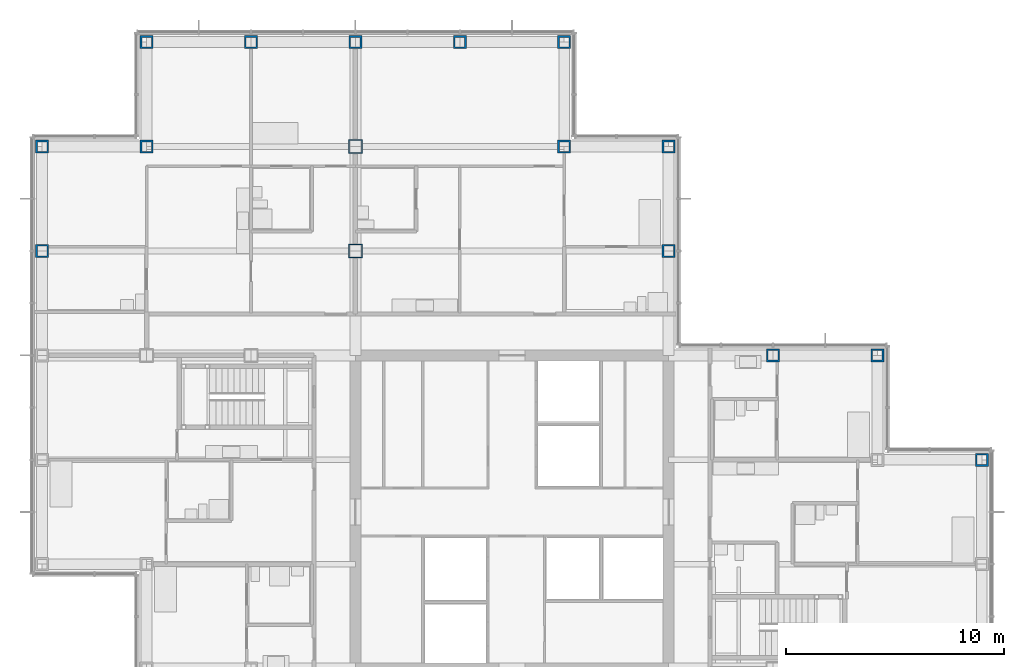
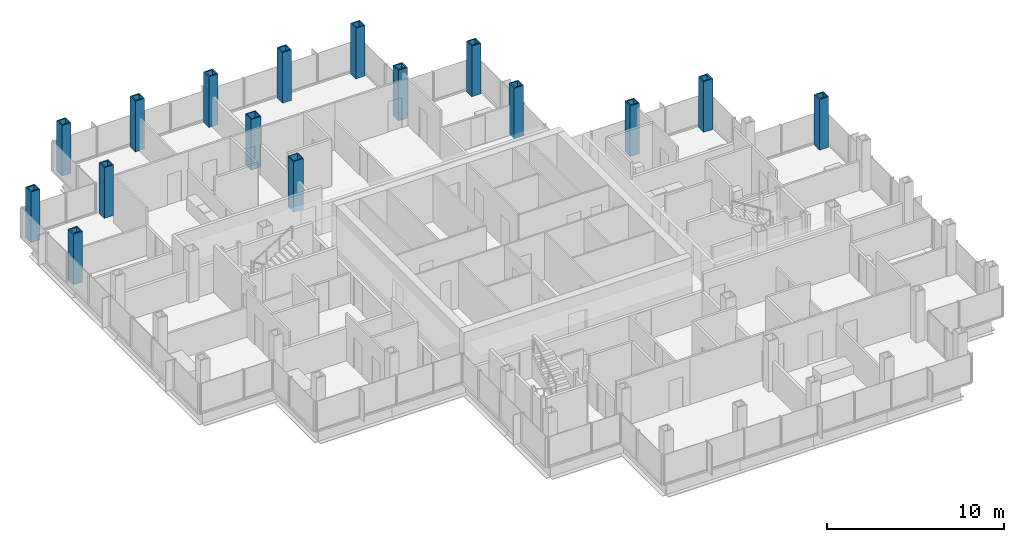
# One storey, part 5 of 20: 16 columns.
"""IFC4 building model written with IfcOpenShell, lengths in metres."""

from ifc_helpers import new_model, si_unit, direction, frame, origin, origin_2d, place, context, subcontext, project, spatial, hollow_rectangle, extrude, material, material_profile, profile_set, type_object, element, save


model = new_model("IFC4")

# Units and contexts
model_context = context("Model", 3, precision=1e-05, world=origin(), true_north=direction((0.0, 1.0)))
body_context = subcontext(model_context, "Body", "Model", "MODEL_VIEW")
ifc_project = project(units=[si_unit("LENGTHUNIT", "METRE"), si_unit("AREAUNIT", "SQUARE_METRE"), si_unit("VOLUMEUNIT", "CUBIC_METRE"), si_unit("PLANEANGLEUNIT", "RADIAN"), si_unit("MASSUNIT", "GRAM", prefix="KILO")], contexts=[model_context])

# Site, building, storey
site_placement = place(None, origin())
site = spatial("IfcSite", under=ifc_project, at=site_placement, CompositionType="ELEMENT")
building_placement = place(site_placement, origin())
building = spatial("IfcBuilding", under=site, at=building_placement, Name="Kvirike Care Tower", CompositionType="ELEMENT")
storey_placement = place(building_placement, frame((0.0, 0.0, 133.0)))
storey = spatial("IfcBuildingStorey", under=building, at=storey_placement, Name="L36", CompositionType="ELEMENT", Elevation=133.0)

# Columns
ifc_material_1 = material(Name="Steel S460", Category="steel")
ifc_material_profile_1 = material_profile(ifc_material_1, hollow_rectangle(XDim=0.60009765625, YDim=0.60009765625, WallThickness=0.080078125, at=origin_2d()), Name="BX 600x600x80")
ifc_profile_set_1 = profile_set([ifc_material_profile_1], Name="Steel S460")
column_type_1 = type_object("IfcColumnType", Name="COLUMN BX 600x600x80", PredefinedType="COLUMN", material=ifc_profile_set_1)
for number, where, z_axis, x_axis, name in (
    (1, (0.0, 48.0, 0.0), (0.0, 0.0, 1.0), (1.0, 0.0, 0.0), "Column L3 L36"),
    (2, (0.0, 52.800048828125, 0.0), (0.0, 0.0, 1.0), (0.0, 1.0, 0.0), "Column M3 L36"),
    (3, (4.800048828125, 52.800048828125, 0.0), (0.0, 0.0, 1.0), (0.0, 1.0, 0.0), "Column M4 L36"),
    (4, (4.800048828125, 57.60009765625, 0.0), (0.0, 0.0, 1.0), (0.0, 1.0, 0.0), "Column N4 L36"),
    (5, (9.60009765625, 57.60009765625, 0.0), (0.0, 0.0, 1.0), (0.0, 1.0, 0.0), "Column N5 L36"),
    (6, (14.39990234375, 57.60009765625, 0.0), (0.0, 0.0, 1.0), (0.0, 1.0, 0.0), "Column N6 L36"),
    (7, (19.199951171875, 57.60009765625, 0.0), (0.0, 0.0, 1.0), (0.0, 1.0, 0.0), "Column N7 L36"),
    (8, (24.0, 52.800048828125, 0.0), (0.0, 0.0, 1.0), (0.0, 1.0, 0.0), "Column M8 L36"),
    (9, (24.0, 57.60009765625, 0.0), (0.0, 0.0, 1.0), (0.0, 1.0, 0.0), "Column N8 L36"),
    (10, (28.800048828125, 48.0, 0.0), (0.0, 0.0, 1.0), (1.0, 0.0, 0.0), "Column L9 L36"),
    (11, (28.800048828125, 52.800048828125, 0.0), (0.0, 0.0, 1.0), (0.0, 1.0, 0.0), "Column M9 L36"),
    (12, (33.60009765625, 43.199951171875, 0.0), (0.0, 0.0, 1.0), (0.0, 1.0, 0.0), "Column K10 L36"),
    (13, (38.39990234375, 43.199951171875, 0.0), (0.0, 0.0, 1.0), (0.0, 1.0, 0.0), "Column K11 L36"),
    (14, (43.199951171875, 38.39990234375, 0.0), (0.0, 0.0, 1.0), (0.0, 1.0, 0.0), "Column J12 L36"),
):
    element("IfcColumn", number, at=place(storey_placement, frame(where, z_axis=z_axis, x_axis=x_axis)), inside=storey, type_object=column_type_1, Name=name, PredefinedType="COLUMN", context=body_context, shape_type="SweptSolid", body=[
        extrude(hollow_rectangle(XDim=0.60009765625, YDim=0.60009765625, WallThickness=0.080078125, at=origin_2d()), origin(), (0.0, 0.0, 1.0), 3.5),
    ])
ifc_material_2 = material(Name="Steel S460", Category="steel")
ifc_material_profile_2 = material_profile(ifc_material_2, hollow_rectangle(XDim=0.64990234375, YDim=0.64990234375, WallThickness=0.050048828125, at=origin_2d()), Name="BX 650x650x50")
ifc_profile_set_2 = profile_set([ifc_material_profile_2], Name="Steel S460")
column_type_2 = type_object("IfcColumnType", Name="COLUMN BX 650x650x50", PredefinedType="COLUMN", material=ifc_profile_set_2)
for number, where, z_axis, x_axis, name in (
    (15, (14.39990234375, 48.0, 0.0), (0.0, 0.0, 1.0), (1.0, 0.0, 0.0), "Column L6 L36"),
    (16, (14.39990234375, 52.800048828125, 0.0), (0.0, 0.0, 1.0), (1.0, 0.0, 0.0), "Column M6 L36"),
):
    element("IfcColumn", number, at=place(storey_placement, frame(where, z_axis=z_axis, x_axis=x_axis)), inside=storey, type_object=column_type_2, Name=name, PredefinedType="COLUMN", context=body_context, shape_type="SweptSolid", body=[
        extrude(hollow_rectangle(XDim=0.64990234375, YDim=0.64990234375, WallThickness=0.050048828125, at=origin_2d()), origin(), (0.0, 0.0, 1.0), 3.5),
    ])

save(model, "model.ifc")
